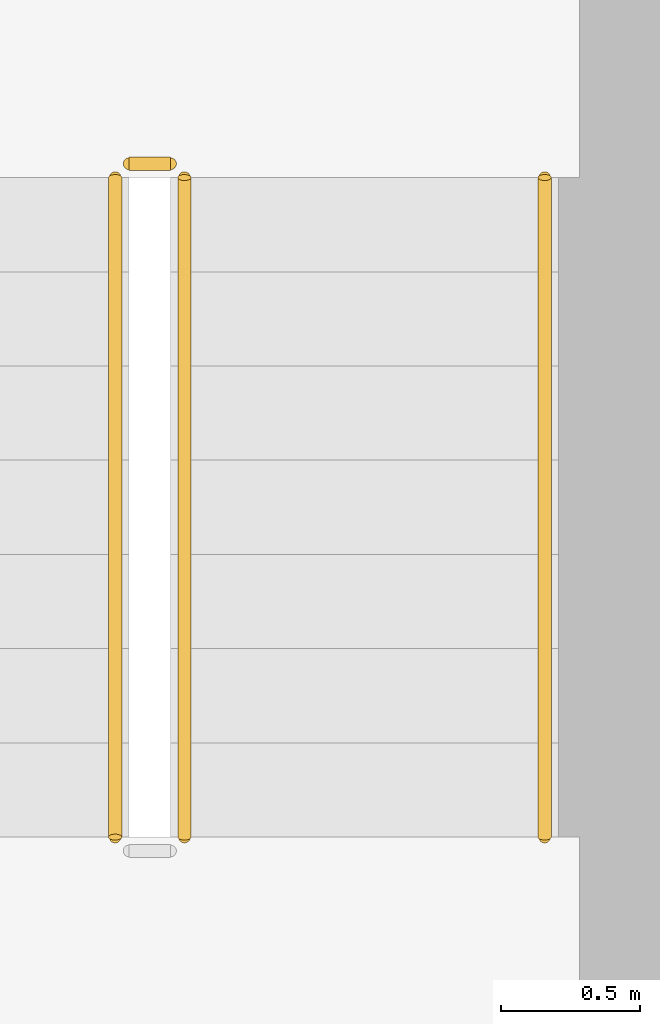
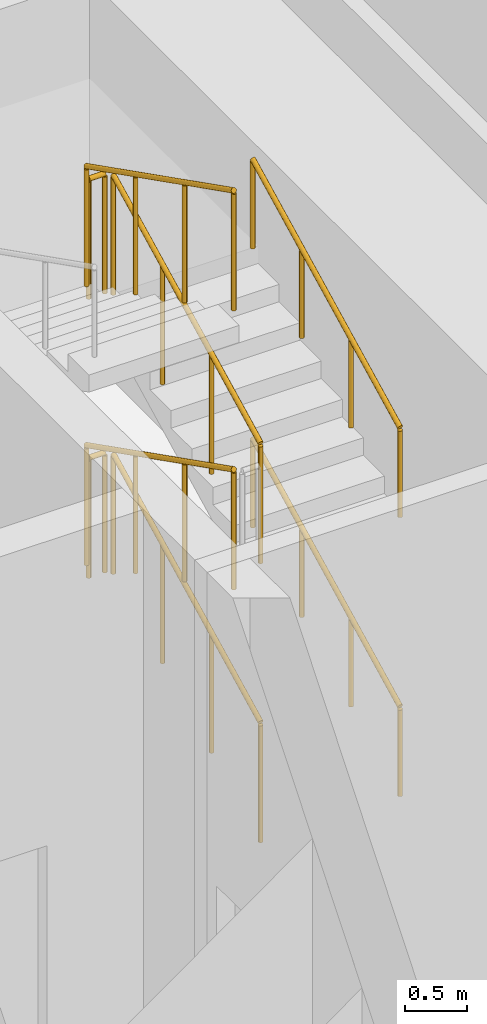
# One storey, part 9 of 9: 8 railings.
"""IFC4 building model written with IfcOpenShell, lengths in metres."""

from ifc_helpers import new_model, si_unit, direction, frame, origin, origin_2d, place, context, subcontext, project, spatial, circle, extrude, material, type_object, element, save


model = new_model("IFC4")

# Units and contexts
model_context = context("Model", 3, precision=1e-05, world=origin(), true_north=direction((0.0, 1.0)))
body_context = subcontext(model_context, "Body", "Model", "MODEL_VIEW")
ifc_project = project(units=[si_unit("LENGTHUNIT", "METRE"), si_unit("AREAUNIT", "SQUARE_METRE"), si_unit("VOLUMEUNIT", "CUBIC_METRE"), si_unit("PLANEANGLEUNIT", "RADIAN"), si_unit("MASSUNIT", "GRAM", prefix="KILO")], contexts=[model_context])

# Site, building, storey
site_placement = place(None, origin())
site = spatial("IfcSite", under=ifc_project, at=site_placement, CompositionType="ELEMENT")
building_placement = place(site_placement, origin())
building = spatial("IfcBuilding", under=site, at=building_placement, Name="Dongbaek Canopy Tower", CompositionType="ELEMENT")
storey_placement = place(building_placement, frame((0.0, 0.0, -11.5)))
storey = spatial("IfcBuildingStorey", under=building, at=storey_placement, Name="B2", CompositionType="ELEMENT", Elevation=-11.5)

# Railings
ifc_material_1 = material(Name="Stainless steel tube and balusters", Category="steel")
railing_type_1 = type_object("IfcRailingType", Name="Stair guard 1200", PredefinedType="GUARDRAIL", material=ifc_material_1)
railing_1_placement = place(storey_placement, frame((11.449951171875, 4.699951171875, 0.171875)))
element("IfcRailing", 1, at=railing_1_placement, inside=storey, type_object=railing_type_1, Name="B2 ST-A stair guard 1", PredefinedType="GUARDRAIL", context=body_context, shape_type="SweptSolid", body=[
    extrude(circle(Radius=0.02392578125, at=origin_2d()), frame((0.0, 0.0, 1.17578125), z_axis=(0.0, 0.89245957406, 0.451127375215), x_axis=(-1.0, 0.0, 0.0)), (0.0, 0.0, 1.0), 2.6669921875),
    extrude(circle(Radius=0.02099609375, at=origin_2d()), origin(), (0.0, 0.0, 1.0), 1.15185546875),
    extrude(circle(Radius=0.02099609375, at=origin_2d()), frame((0.0, 0.79345703125, 0.401123046875)), (0.0, 0.0, 1.0), 1.15185546875),
    extrude(circle(Radius=0.02099609375, at=origin_2d()), frame((0.0, 1.586669921875, 0.802001953125)), (0.0, 0.0, 1.0), 1.15185546875),
    extrude(circle(Radius=0.02099609375, at=origin_2d()), frame((0.0, 2.380126953125, 1.203125)), (0.0, 0.0, 1.0), 1.15185546875),
])
railing_2_placement = place(storey_placement, frame((11.39990234375, 7.1298828125, 1.375)))
element("IfcRailing", 2, at=railing_2_placement, inside=storey, type_object=railing_type_1, Name="B2 ST-A stair guard 2", PredefinedType="GUARDRAIL", context=body_context, shape_type="SweptSolid", body=[
    extrude(circle(Radius=0.02392578125, at=origin_2d()), frame((0.0, 0.0, 1.17578125), z_axis=(-1.0, 0.0, 0.0), x_axis=(0.0, -1.0, 0.0)), (0.0, 0.0, 1.0), 0.14990234375),
    extrude(circle(Radius=0.02099609375, at=origin_2d()), origin(), (0.0, 0.0, 1.0), 1.15185546875),
    extrude(circle(Radius=0.02099609375, at=origin_2d()), frame((-0.14990234375, 0.0, 0.0)), (0.0, 0.0, 1.0), 1.15185546875),
])
railing_3_placement = place(storey_placement, frame((11.199951171875, 7.080078125, 1.546875)))
element("IfcRailing", 3, at=railing_3_placement, inside=storey, type_object=railing_type_1, Name="B2 ST-A stair guard 3", PredefinedType="GUARDRAIL", context=body_context, shape_type="SweptSolid", body=[
    extrude(circle(Radius=0.02392578125, at=origin_2d()), frame((0.0, 0.0, 1.17578125), z_axis=(0.0, -0.89245957406, 0.451127375215), x_axis=(1.0, 0.0, 0.0)), (0.0, 0.0, 1.0), 2.6669921875),
    extrude(circle(Radius=0.02099609375, at=origin_2d()), origin(), (0.0, 0.0, 1.0), 1.15185546875),
    extrude(circle(Radius=0.02099609375, at=origin_2d()), frame((0.0, -0.79345703125, 0.401123046875)), (0.0, 0.0, 1.0), 1.15185546875),
    extrude(circle(Radius=0.02099609375, at=origin_2d()), frame((0.0, -1.586669921875, 0.802001953125)), (0.0, 0.0, 1.0), 1.15185546875),
    extrude(circle(Radius=0.02099609375, at=origin_2d()), frame((0.0, -2.380126953125, 1.203125)), (0.0, 0.0, 1.0), 1.15185546875),
])
railing_4_placement = place(storey_placement, frame((11.449951171875, 4.699951171875, 2.921875)))
element("IfcRailing", 4, at=railing_4_placement, inside=storey, type_object=railing_type_1, Name="B2 ST-A stair guard 5", PredefinedType="GUARDRAIL", context=body_context, shape_type="SweptSolid", body=[
    extrude(circle(Radius=0.02392578125, at=origin_2d()), frame((0.0, 0.0, 1.17578125), z_axis=(0.0, 0.89245957406, 0.451127375215), x_axis=(-1.0, 0.0, 0.0)), (0.0, 0.0, 1.0), 2.6669921875),
    extrude(circle(Radius=0.02099609375, at=origin_2d()), origin(), (0.0, 0.0, 1.0), 1.15185546875),
    extrude(circle(Radius=0.02099609375, at=origin_2d()), frame((0.0, 0.79345703125, 0.401123046875)), (0.0, 0.0, 1.0), 1.15185546875),
    extrude(circle(Radius=0.02099609375, at=origin_2d()), frame((0.0, 1.586669921875, 0.802001953125)), (0.0, 0.0, 1.0), 1.15185546875),
    extrude(circle(Radius=0.02099609375, at=origin_2d()), frame((0.0, 2.380126953125, 1.203125)), (0.0, 0.0, 1.0), 1.15185546875),
])
railing_5_placement = place(storey_placement, frame((11.39990234375, 7.1298828125, 4.125)))
element("IfcRailing", 5, at=railing_5_placement, inside=storey, type_object=railing_type_1, Name="B2 ST-A stair guard 6", PredefinedType="GUARDRAIL", context=body_context, shape_type="SweptSolid", body=[
    extrude(circle(Radius=0.02392578125, at=origin_2d()), frame((0.0, 0.0, 1.17578125), z_axis=(-1.0, 0.0, 0.0), x_axis=(0.0, -1.0, 0.0)), (0.0, 0.0, 1.0), 0.14990234375),
    extrude(circle(Radius=0.02099609375, at=origin_2d()), origin(), (0.0, 0.0, 1.0), 1.15185546875),
    extrude(circle(Radius=0.02099609375, at=origin_2d()), frame((-0.14990234375, 0.0, 0.0)), (0.0, 0.0, 1.0), 1.15185546875),
])
railing_6_placement = place(storey_placement, frame((11.199951171875, 7.080078125, 4.296875)))
element("IfcRailing", 6, at=railing_6_placement, inside=storey, type_object=railing_type_1, Name="B2 ST-A stair guard 7", PredefinedType="GUARDRAIL", context=body_context, shape_type="SweptSolid", body=[
    extrude(circle(Radius=0.02392578125, at=origin_2d()), frame((0.0, 0.0, 1.17578125), z_axis=(0.0, -0.89245957406, 0.451127375215), x_axis=(1.0, 0.0, 0.0)), (0.0, 0.0, 1.0), 2.6669921875),
    extrude(circle(Radius=0.02099609375, at=origin_2d()), origin(), (0.0, 0.0, 1.0), 1.15185546875),
    extrude(circle(Radius=0.02099609375, at=origin_2d()), frame((0.0, -0.79345703125, 0.401123046875)), (0.0, 0.0, 1.0), 1.15185546875),
    extrude(circle(Radius=0.02099609375, at=origin_2d()), frame((0.0, -1.586669921875, 0.802001953125)), (0.0, 0.0, 1.0), 1.15185546875),
    extrude(circle(Radius=0.02099609375, at=origin_2d()), frame((0.0, -2.380126953125, 1.203125)), (0.0, 0.0, 1.0), 1.15185546875),
])
ifc_material_2 = material(Name="Stainless steel tube", Category="steel")
railing_type_2 = type_object("IfcRailingType", Name="Stair handrail 900", PredefinedType="HANDRAIL", material=ifc_material_2)
for number, where, name in (
    (7, (12.75, 4.699951171875, 0.171875), "B2 ST-A stair handrail 1"),
    (8, (12.75, 4.699951171875, 2.921875), "B2 ST-A stair handrail 3"),
):
    element("IfcRailing", number, at=place(storey_placement, frame(where)), inside=storey, type_object=railing_type_2, Name=name, PredefinedType="HANDRAIL", context=body_context, shape_type="SweptSolid", body=[
        extrude(circle(Radius=0.02392578125, at=origin_2d()), frame((0.0, 0.0, 0.8759765625), z_axis=(0.0, 0.89245957406, 0.451127375215), x_axis=(-1.0, 0.0, 0.0)), (0.0, 0.0, 1.0), 2.6669921875),
        extrude(circle(Radius=0.02099609375, at=origin_2d()), origin(), (0.0, 0.0, 1.0), 0.851806640625),
        extrude(circle(Radius=0.02099609375, at=origin_2d()), frame((0.0, 0.79345703125, 0.401123046875)), (0.0, 0.0, 1.0), 0.851806640625),
        extrude(circle(Radius=0.02099609375, at=origin_2d()), frame((0.0, 1.586669921875, 0.802001953125)), (0.0, 0.0, 1.0), 0.851806640625),
        extrude(circle(Radius=0.02099609375, at=origin_2d()), frame((0.0, 2.380126953125, 1.203125)), (0.0, 0.0, 1.0), 0.851806640625),
    ])

save(model, "model.ifc")
